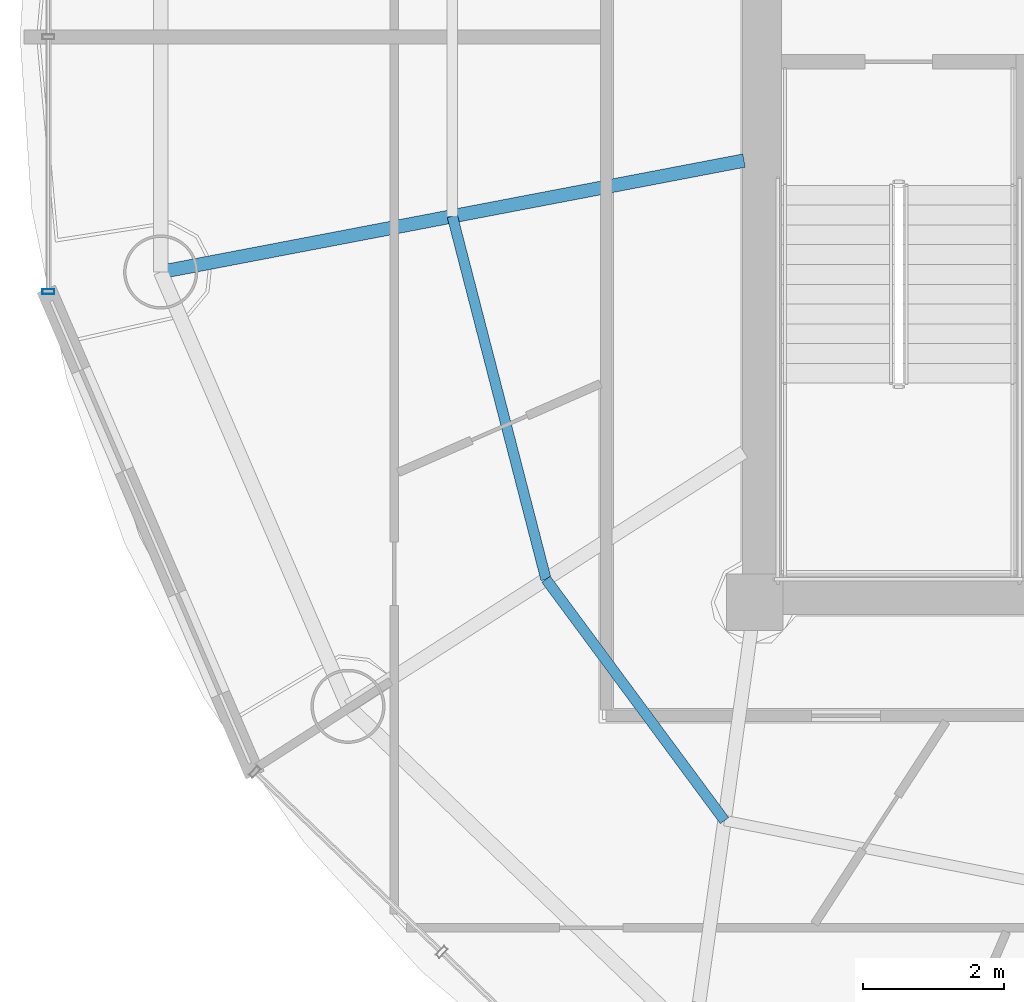
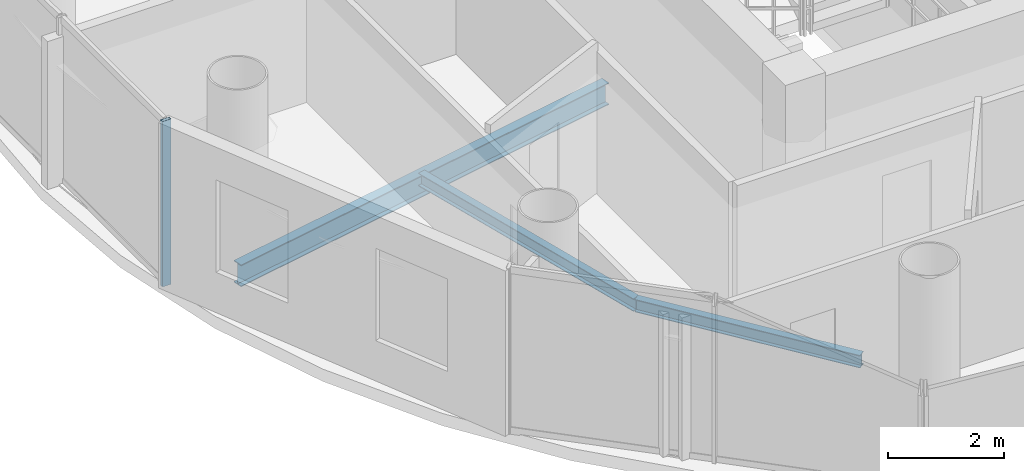
# One storey, part 4 of 24: 3 beams, 1 member, 1 element without a shape of its own.
"""IFC4 building model written with IfcOpenShell, lengths in metres."""

from ifc_helpers import new_model, si_unit, direction, frame, origin, origin_2d, place, context, subcontext, project, spatial, hollow_rectangle, i_section, extrude, source, transform, mapped, material, material_profile, profile_set, type_object, element, aggregate, save


model = new_model("IFC4")

# Units and contexts
model_context = context("Model", 3, precision=1e-05, world=origin(), true_north=direction((-0.2419218956, 0.970295726276)))
body_context = subcontext(model_context, "Body", "Model", "MODEL_VIEW")
ifc_project = project(units=[si_unit("LENGTHUNIT", "METRE"), si_unit("AREAUNIT", "SQUARE_METRE"), si_unit("VOLUMEUNIT", "CUBIC_METRE"), si_unit("PLANEANGLEUNIT", "RADIAN"), si_unit("MASSUNIT", "GRAM", prefix="KILO")], contexts=[model_context])

# Site, building, storey
site_placement = place(None, origin())
site = spatial("IfcSite", under=ifc_project, at=site_placement, CompositionType="ELEMENT")
building_placement = place(site_placement, origin())
building = spatial("IfcBuilding", under=site, at=building_placement, Name="Cobrevalo Terracotta Tower", CompositionType="ELEMENT")
storey_placement = place(building_placement, frame((0.0, 0.0, 293.199951171875)))
storey = spatial("IfcBuildingStorey", under=building, at=storey_placement, Name="L77", CompositionType="ELEMENT", Elevation=293.199951171875)

# Beams
ifc_material_1 = material(Name="Steel S355", Category="steel")
ifc_material_profile_1 = material_profile(ifc_material_1, i_section(OverallWidth=0.19091796875, OverallDepth=0.4599609375, WebThickness=0.010009765625, FlangeThickness=0.01611328125, at=origin_2d()), Name="W 460x82")
ifc_profile_set_1 = profile_set([ifc_material_profile_1], Name="Steel S355")
beam_type_1 = type_object("IfcBeamType", Name="Structural Beam W 460x82 (Steel S355)", PredefinedType="BEAM", material=ifc_profile_set_1)
beam_1_placement = place(storey_placement, frame((20.591064453125, 23.4736328125, -0.489990234375), z_axis=(0.982229562106, 0.187683476432, 0.0), x_axis=(-0.187683476432, 0.982229562106, 0.0)))
element("IfcBeam", 1, at=beam_1_placement, inside=storey, type_object=beam_type_1, Name="L77 radial floor girder 09", PredefinedType="BEAM", context=body_context, shape_type="SweptSolid", body=[
    extrude(i_section(OverallWidth=0.19091796875, OverallDepth=0.4599609375, WebThickness=0.010009765625, FlangeThickness=0.01611328125, at=origin_2d()), origin(), (0.0, 0.0, 1.0), 8.4033203125),
])
ifc_material_profile_2 = material_profile(ifc_material_1, i_section(OverallWidth=0.14794921875, OverallDepth=0.26611328125, WebThickness=0.007568359375, FlangeThickness=0.012939453125, at=origin_2d()), Name="W 250x44.8")
ifc_profile_set_2 = profile_set([ifc_material_profile_2], Name="Steel S355")
beam_type_2 = type_object("IfcBeamType", Name="Structural Joist W 250x44.8 (Steel S355)", PredefinedType="JOIST", material=ifc_profile_set_2)
beam_2_placement = place(storey_placement, frame((24.718017578125, 24.26220703125, -0.39306640625), z_axis=(0.249816773293, -0.968293126993, 0.0), x_axis=(0.968293126993, 0.249816773293, 0.0)))
element("IfcBeam", 2, at=beam_2_placement, inside=storey, type_object=beam_type_2, Name="L77 circumferential secondary floor joist 09", PredefinedType="JOIST", context=body_context, shape_type="SweptSolid", body=[
    extrude(i_section(OverallWidth=0.14794921875, OverallDepth=0.26611328125, WebThickness=0.007568359375, FlangeThickness=0.012939453125, at=origin_2d()), origin(), (0.0, 0.0, 1.0), 5.3046875),
])
beam_3_placement = place(storey_placement, frame((26.043212890625, 19.125732421875, -0.39306640625), z_axis=(0.594799916617, -0.803873783123, 0.0), x_axis=(0.803873783123, 0.594799916617, 0.0)))
element("IfcBeam", 3, at=beam_3_placement, inside=storey, type_object=beam_type_2, Name="L77 circumferential secondary floor joist 10", PredefinedType="JOIST", context=body_context, shape_type="SweptSolid", body=[
    extrude(i_section(OverallWidth=0.14794921875, OverallDepth=0.26611328125, WebThickness=0.007568359375, FlangeThickness=0.012939453125, at=origin_2d()), origin(), (0.0, 0.0, 1.0), 4.2470703125),
])

# Curtain wall, member
ifc_material_2 = material(Name="Anodized aluminium", Category="aluminium")
curtain_wall_type = type_object("IfcCurtainWallType", Name="Upper-tower triple-glazed penthouse curtain wall CW-U3", PredefinedType="NOTDEFINED", material=ifc_material_2)
curtain_wall_placement = place(storey_placement, origin())
curtain_wall = element("IfcCurtainWall", 4, at=curtain_wall_placement, inside=storey, type_object=curtain_wall_type, Name="L77 curtain wall CW-L77-S08", PredefinedType="NOTDEFINED")
ifc_material_profile_3 = material_profile(ifc_material_2, hollow_rectangle(XDim=0.070068359375, YDim=0.169921875, WallThickness=0.00439453125, at=origin_2d()), Name="CWM 70x170")
ifc_profile_set_3 = profile_set([ifc_material_profile_3], Name="Anodized aluminium")
member_type = type_object("IfcMemberType", Name="Upper tower unitised mullion 70x170", PredefinedType="MULLION", material=ifc_profile_set_3)
shared_shape = source(origin(), body_context, "Body", "SweptSolid", [
    extrude(hollow_rectangle(XDim=0.070068359375, YDim=0.169921875, WallThickness=0.00439453125, at=origin_2d()), origin(), (0.0, 0.0, 1.0), 3.489990234375),
])
member_placement = place(storey_placement, frame((19.002197265625, 23.19775390625, 0.0), z_axis=(0.0, 0.0, 1.0), x_axis=(0.0, -1.0, 0.0)))
member = element("IfcMember", 5, at=member_placement, type_object=member_type, Name="CW-L77-S08 vertical mullion 03", PredefinedType="MULLION", context=body_context, shape_type="MappedRepresentation", body=[
    mapped(shared_shape, transform((0.0, 0.0, 0.0), scale=1.0)),
])
aggregate(curtain_wall, [member])

save(model, "model.ifc")
